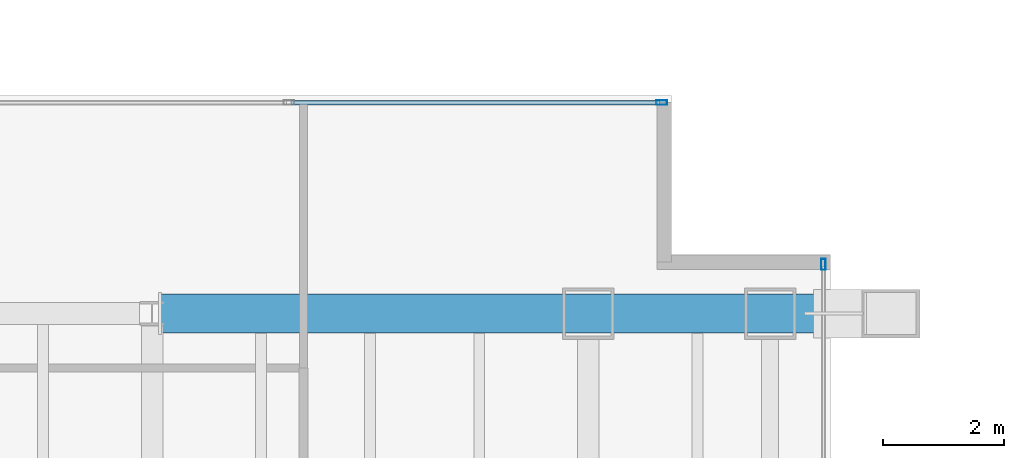
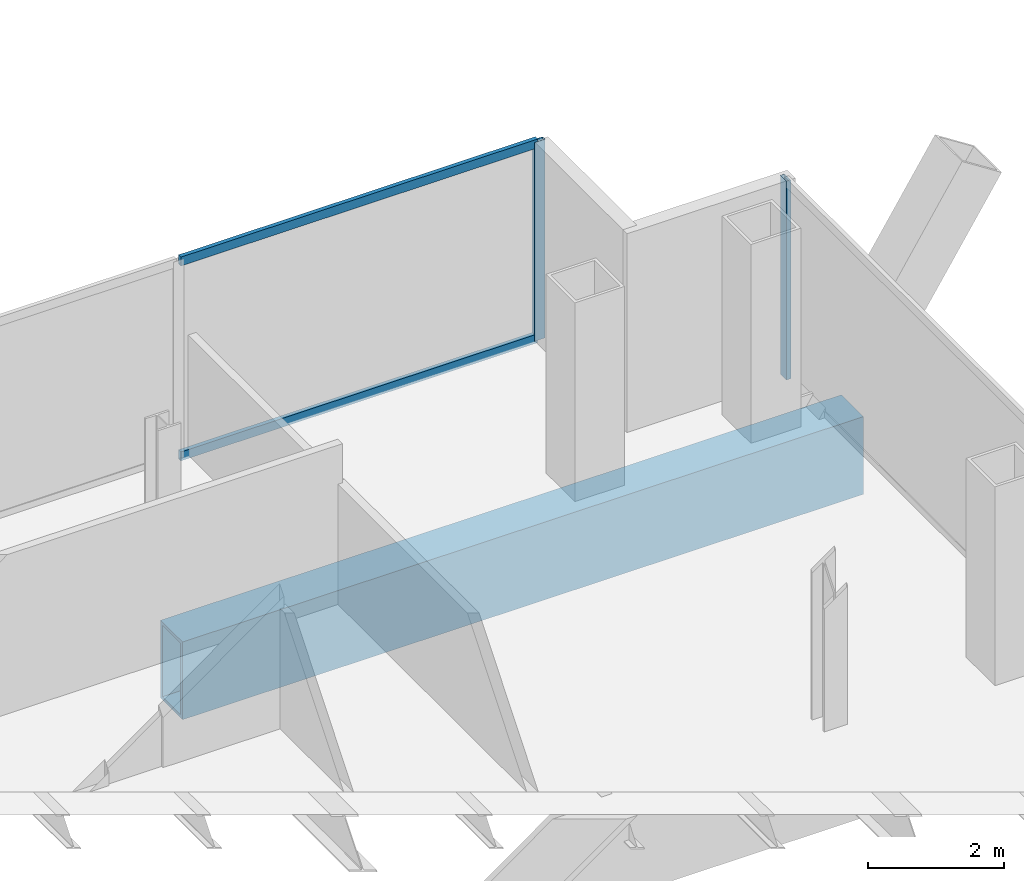
# One storey, part 15 of 23: 4 members, 1 beam, 2 elements without a shape of their own.
"""IFC4 building model written with IfcOpenShell, lengths in metres."""

from ifc_helpers import new_model, si_unit, direction, frame, origin, origin_2d, place, context, subcontext, project, spatial, hollow_rectangle, extrude, material, material_profile, profile_set, type_object, element, aggregate, save


model = new_model("IFC4")

# Units and contexts
model_context = context("Model", 3, precision=1e-05, world=origin(), true_north=direction((0.0, 1.0)))
body_context = subcontext(model_context, "Body", "Model", "MODEL_VIEW")
ifc_project = project(units=[si_unit("LENGTHUNIT", "METRE"), si_unit("AREAUNIT", "SQUARE_METRE"), si_unit("VOLUMEUNIT", "CUBIC_METRE"), si_unit("PLANEANGLEUNIT", "RADIAN"), si_unit("MASSUNIT", "GRAM", prefix="KILO")], contexts=[model_context])

# Site, building, storey
site_placement = place(None, origin())
site = spatial("IfcSite", under=ifc_project, at=site_placement, CompositionType="ELEMENT")
building_placement = place(site_placement, origin())
building = spatial("IfcBuilding", under=site, at=building_placement, Name="Cobrela Telecom Tower", CompositionType="ELEMENT")
storey_placement = place(building_placement, frame((0.0, 0.0, 156.10009765625)))
storey = spatial("IfcBuildingStorey", under=building, at=storey_placement, Name="L39", CompositionType="ELEMENT", Elevation=156.10009765625)

# Beam
ifc_material_1 = material(Name="Steel ASTM A572 Grade 50", Category="steel")
ifc_material_profile_1 = material_profile(ifc_material_1, hollow_rectangle(XDim=0.64990234375, YDim=1.39990234375, WallThickness=0.054931640625, at=origin_2d()), Name="BOX 1400x650x55")
ifc_profile_set_1 = profile_set([ifc_material_profile_1], Name="Steel ASTM A572 Grade 50")
beam_type = type_object("IfcBeamType", Name="BM-TRG-1400", PredefinedType="USERDEFINED", material=ifc_profile_set_1)
beam_placement = place(storey_placement, frame((36.14990234375, 21.60009765625, -0.97021484375), z_axis=(1.0, 0.0, 0.0), x_axis=(0.0, 1.0, 0.0)))
element("IfcBeam", 1, at=beam_placement, inside=storey, type_object=beam_type, Name="L39 Sky Pool Mega-Strut Footing Transfer Beam 2", ObjectType="GIRDER", PredefinedType="USERDEFINED", context=body_context, shape_type="SweptSolid", body=[
    extrude(hollow_rectangle(XDim=0.64990234375, YDim=1.39990234375, WallThickness=0.054931640625, at=origin_2d()), origin(), (0.0, 0.0, 1.0), 11.60009765625),
])

# Curtain wall, member
ifc_material_2 = material(Name="Anodized Bronze Aluminium 6063-T6", Category="aluminium")
curtain_wall_type = type_object("IfcCurtainWallType", Name="CW-SYS-TEL", PredefinedType="USERDEFINED", material=ifc_material_2)
curtain_wall_1_placement = place(storey_placement, origin())
curtain_wall_1 = element("IfcCurtainWall", 2, at=curtain_wall_1_placement, inside=storey, type_object=curtain_wall_type, Name="L39 Unitised Bronze Curtain Wall 11", ObjectType="UNITISED CURTAIN WALL", PredefinedType="USERDEFINED")
ifc_material_profile_2 = material_profile(ifc_material_2, hollow_rectangle(XDim=0.074951171875, YDim=0.179931640625, WallThickness=0.00390625, at=origin_2d()), Name="ALU 75x180x4")
ifc_profile_set_2 = profile_set([ifc_material_profile_2], Name="Anodized Bronze Aluminium 6063-T6")
member_type_1 = type_object("IfcMemberType", Name="CW-SYS-TEL-MUL", PredefinedType="MULLION", material=ifc_profile_set_2)
member_1_placement = place(storey_placement, frame((44.41259765625, 25.080078125, 0.0), z_axis=(0.0, 0.0, 1.0), x_axis=(0.0, 1.0, 0.0)))
member_1 = element("IfcMember", 3, at=member_1_placement, type_object=member_type_1, Name="CW-TEL mullion 4", PredefinedType="MULLION", context=body_context, shape_type="SweptSolid", body=[
    extrude(hollow_rectangle(XDim=0.074951171875, YDim=0.179931640625, WallThickness=0.00390625, at=origin_2d()), origin(), (0.0, 0.0, 1.0), 3.579833984375),
])

curtain_wall_2_placement = place(storey_placement, origin())
curtain_wall_2 = element("IfcCurtainWall", 4, at=curtain_wall_2_placement, inside=storey, type_object=curtain_wall_type, Name="L39 Unitised Bronze Curtain Wall 14", ObjectType="UNITISED CURTAIN WALL", PredefinedType="USERDEFINED")
member_2_placement = place(storey_placement, frame((47.080078125, 22.41259765625, 0.0), z_axis=(0.0, 0.0, 1.0), x_axis=(1.0, 0.0, 0.0)))
member_2 = element("IfcMember", 5, at=member_2_placement, type_object=member_type_1, Name="CW-TEL mullion 1", PredefinedType="MULLION", context=body_context, shape_type="SweptSolid", body=[
    extrude(hollow_rectangle(XDim=0.074951171875, YDim=0.179931640625, WallThickness=0.00390625, at=origin_2d()), origin(), (0.0, 0.0, 1.0), 3.579833984375),
])
aggregate(curtain_wall_2, [member_2])

# Member
ifc_material_profile_3 = material_profile(ifc_material_2, hollow_rectangle(XDim=0.070068359375, YDim=0.159912109375, WallThickness=0.00390625, at=origin_2d()), Name="ALU 70x160x4")
ifc_profile_set_3 = profile_set([ifc_material_profile_3], Name="Anodized Bronze Aluminium 6063-T6")
member_type_2 = type_object("IfcMemberType", Name="CW-SYS-TEL-TRN", PredefinedType="USERDEFINED", material=ifc_profile_set_3)
member_3_placement = place(storey_placement, frame((38.297607421875, 25.080078125, 0.034912109375), z_axis=(1.0, 0.0, 0.0), x_axis=(0.0, 1.0, 0.0)))
member_3 = element("IfcMember", 6, at=member_3_placement, type_object=member_type_2, Name="CW-TEL transom 3.1", ObjectType="TRANSOM", PredefinedType="USERDEFINED", context=body_context, shape_type="SweptSolid", body=[
    extrude(hollow_rectangle(XDim=0.070068359375, YDim=0.159912109375, WallThickness=0.00390625, at=origin_2d()), origin(), (0.0, 0.0, 1.0), 6.077392578125),
])

member_4_placement = place(storey_placement, frame((38.297607421875, 25.080078125, 3.544921875), z_axis=(1.0, 0.0, 0.0), x_axis=(0.0, 1.0, 0.0)))
member_4 = element("IfcMember", 7, at=member_4_placement, type_object=member_type_2, Name="CW-TEL transom 3.2", ObjectType="TRANSOM", PredefinedType="USERDEFINED", context=body_context, shape_type="SweptSolid", body=[
    extrude(hollow_rectangle(XDim=0.070068359375, YDim=0.159912109375, WallThickness=0.00390625, at=origin_2d()), origin(), (0.0, 0.0, 1.0), 6.077392578125),
])

aggregate(curtain_wall_1, [member_1, member_3, member_4])

save(model, "model.ifc")
